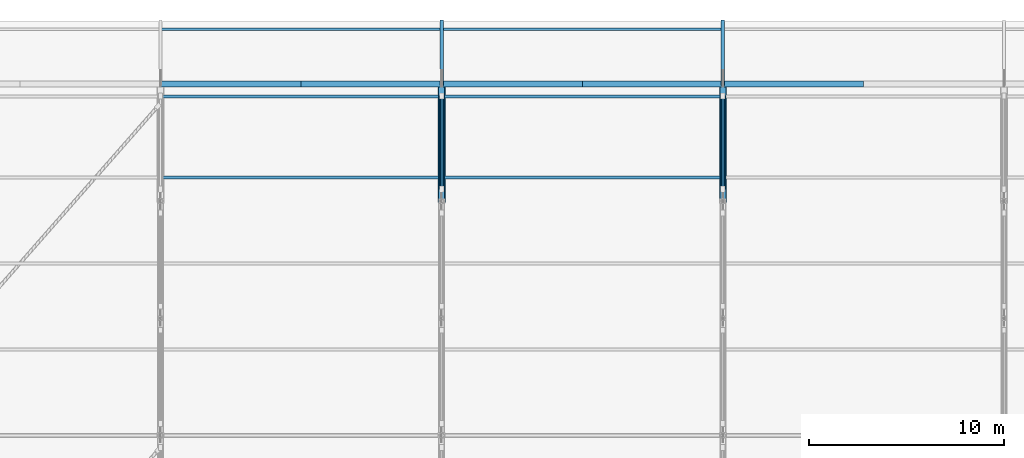
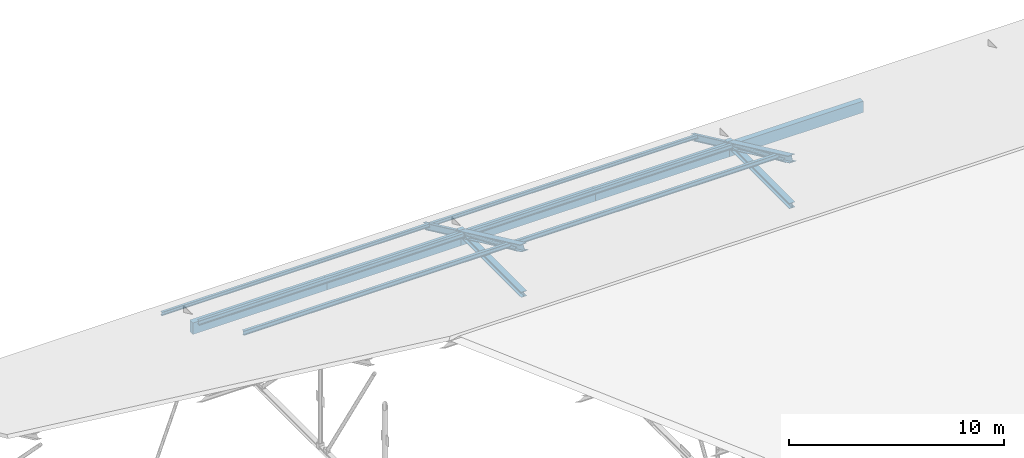
# One storey, part 82 of 141: 14 members, 5 beams, 2 elements without a shape of their own.
"""IFC4 building model written with IfcOpenShell, lengths in metres."""

from ifc_helpers import new_model, si_unit, direction, frame, origin, origin_2d, place, context, subcontext, project, spatial, rectangle, hollow_circle, i_section, extrude, material, material_profile, profile_set, type_object, element, aggregate, save


model = new_model("IFC4")

# Units and contexts
model_context = context("Model", 3, precision=1e-05, world=origin(), true_north=direction((0.0, 1.0)))
body_context = subcontext(model_context, "Body", "Model", "MODEL_VIEW")
ifc_project = project(units=[si_unit("LENGTHUNIT", "METRE"), si_unit("AREAUNIT", "SQUARE_METRE"), si_unit("VOLUMEUNIT", "CUBIC_METRE"), si_unit("PLANEANGLEUNIT", "RADIAN"), si_unit("MASSUNIT", "GRAM", prefix="KILO")], contexts=[model_context])

# Site, building, storey
site_placement = place(None, origin())
site = spatial("IfcSite", under=ifc_project, at=site_placement, CompositionType="ELEMENT")
building_placement = place(site_placement, origin())
building = spatial("IfcBuilding", under=site, at=building_placement, Name="Seraya Terrace Polytechnic", CompositionType="ELEMENT")
storey_placement = place(building_placement, frame((0.0, 0.0, 14.39990234375)))
storey = spatial("IfcBuildingStorey", under=building, at=storey_placement, Name="L03", CompositionType="ELEMENT", Elevation=14.39990234375)

# Assembly, member
ifc_material_1 = material(Name="Steel S355J2", Category="steel")
element_assembly_type = type_object("IfcElementAssemblyType", Name="TR-A1", PredefinedType="TRUSS", material=ifc_material_1)
assembly_1_placement = place(storey_placement, origin())
assembly_1 = element("IfcElementAssembly", 1, at=assembly_1_placement, inside=storey, type_object=element_assembly_type, Name="Pitched steel roof truss TR-03", AssemblyPlace="SITE", PredefinedType="TRUSS")
ifc_material_profile_1 = material_profile(ifc_material_1, i_section(OverallWidth=0.304931640625, OverallDepth=0.304931640625, WebThickness=0.014892578125, FlangeThickness=0.023681640625, at=origin_2d()), Name="UKC 305x305x14.9x23.8")
ifc_profile_set_1 = profile_set([ifc_material_profile_1], Name="Steel S355J2")
member_type_1 = type_object("IfcMemberType", Name="BC-01", PredefinedType="CHORD", material=ifc_profile_set_1)
member_1_placement = place(storey_placement, frame((43.199951171875, 109.199951171875, 0.150146484375), z_axis=(0.0, 1.0, 0.0), x_axis=(-1.0, 0.0, 0.0)))
member_1 = element("IfcMember", 2, at=member_1_placement, type_object=member_type_1, Name="TR-03 bottom chord 6", PredefinedType="CHORD", context=body_context, shape_type="SweptSolid", body=[
    extrude(i_section(OverallWidth=0.304931640625, OverallDepth=0.304931640625, WebThickness=0.014892578125, FlangeThickness=0.023681640625, at=origin_2d()), origin(), (0.0, 0.0, 1.0), 6.0),
])

assembly_2_placement = place(storey_placement, origin())
assembly_2 = element("IfcElementAssembly", 3, at=assembly_2_placement, inside=storey, type_object=element_assembly_type, Name="Pitched steel roof truss TR-04", AssemblyPlace="SITE", PredefinedType="TRUSS")
member_2_placement = place(storey_placement, frame((57.60009765625, 109.199951171875, 0.150146484375), z_axis=(0.0, 1.0, 0.0), x_axis=(-1.0, 0.0, 0.0)))
member_2 = element("IfcMember", 4, at=member_2_placement, type_object=member_type_1, Name="TR-04 bottom chord 6", PredefinedType="CHORD", context=body_context, shape_type="SweptSolid", body=[
    extrude(i_section(OverallWidth=0.304931640625, OverallDepth=0.304931640625, WebThickness=0.014892578125, FlangeThickness=0.023681640625, at=origin_2d()), origin(), (0.0, 0.0, 1.0), 6.0),
])

# Member
ifc_material_profile_2 = material_profile(ifc_material_1, hollow_circle(Radius=0.109619140625, WallThickness=0.010009765625, at=origin_2d()), Name="CHS 219.1x10.0")
ifc_profile_set_2 = profile_set([ifc_material_profile_2], Name="Steel S355J2")
member_type_2 = type_object("IfcMemberType", Name="BR-01", PredefinedType="BRACE", material=ifc_profile_set_2)
member_3_placement = place(storey_placement, frame((43.199951171875, 109.820068359375, 2.31884765625), z_axis=(0.0, 0.921775035169, -0.387725140453), x_axis=(-1.0, 0.0, 0.0)))
member_3 = element("IfcMember", 5, at=member_3_placement, type_object=member_type_2, Name="TR-03 web diagonal 6", PredefinedType="BRACE", context=body_context, shape_type="SweptSolid", body=[
    extrude(hollow_circle(Radius=0.109619140625, WallThickness=0.010009765625, at=origin_2d()), origin(), (0.0, 0.0, 1.0), 5.1640625),
])

member_4_placement = place(storey_placement, frame((57.60009765625, 109.820068359375, 2.31884765625), z_axis=(0.0, 0.921775035169, -0.387725140453), x_axis=(-1.0, 0.0, 0.0)))
member_4 = element("IfcMember", 6, at=member_4_placement, type_object=member_type_2, Name="TR-04 web diagonal 6", PredefinedType="BRACE", context=body_context, shape_type="SweptSolid", body=[
    extrude(hollow_circle(Radius=0.109619140625, WallThickness=0.010009765625, at=origin_2d()), origin(), (0.0, 0.0, 1.0), 5.1640625),
])

# Members
ifc_material_profile_3 = material_profile(ifc_material_1, i_section(OverallWidth=0.14599609375, OverallDepth=0.25390625, WebThickness=0.007080078125, FlangeThickness=0.01416015625, at=origin_2d()), Name="UKB 254x146x7.2x14.2")
ifc_profile_set_3 = profile_set([ifc_material_profile_3], Name="Steel S355J2")
member_type_3 = type_object("IfcMemberType", Name="PR-01", PredefinedType="PURLIN", material=ifc_profile_set_3)
for number, where, z_axis, x_axis, name in (
    (7, (28.800048828125, 110.39990234375, 2.270263671875), (1.0, 0.0, 0.0), (0.0, 1.0, 0.0), "Workshop roof purlin PR-01 bay 2.9"),
    (8, (28.800048828125, 114.550048828125, 0.33349609375), (1.0, 0.0, 0.0), (0.0, 1.0, 0.0), "Workshop roof purlin PR-01 bay 2.10"),
):
    element("IfcMember", number, at=place(storey_placement, frame(where, z_axis=z_axis, x_axis=x_axis)), inside=storey, type_object=member_type_3, Name=name, PredefinedType="PURLIN", context=body_context, shape_type="SweptSolid", body=[
        extrude(i_section(OverallWidth=0.14599609375, OverallDepth=0.25390625, WebThickness=0.007080078125, FlangeThickness=0.01416015625, at=origin_2d()), origin(), (0.0, 0.0, 1.0), 14.39990234375),
    ])
for number, where, z_axis, x_axis, name in (
    (9, (43.199951171875, 110.39990234375, 2.270263671875), (1.0, 0.0, 0.0), (0.0, 1.0, 0.0), "Workshop roof purlin PR-01 bay 3.9"),
    (10, (43.199951171875, 114.550048828125, 0.33349609375), (1.0, 0.0, 0.0), (0.0, 1.0, 0.0), "Workshop roof purlin PR-01 bay 3.10"),
):
    element("IfcMember", number, at=place(storey_placement, frame(where, z_axis=z_axis, x_axis=x_axis)), inside=storey, type_object=member_type_3, Name=name, PredefinedType="PURLIN", context=body_context, shape_type="SweptSolid", body=[
        extrude(i_section(OverallWidth=0.14599609375, OverallDepth=0.25390625, WebThickness=0.007080078125, FlangeThickness=0.01416015625, at=origin_2d()), origin(), (0.0, 0.0, 1.0), 14.400146484375),
    ])
ifc_material_profile_4 = material_profile(ifc_material_1, i_section(OverallWidth=0.133056640625, OverallDepth=0.202880859375, WebThickness=0.00634765625, FlangeThickness=0.01171875, at=origin_2d()), Name="UKB 203x133x6.4x11.8")
ifc_profile_set_4 = profile_set([ifc_material_profile_4], Name="Steel S355J2")
member_type_4 = type_object("IfcMemberType", Name="PR-02", PredefinedType="PURLIN", material=ifc_profile_set_4)
member_5_placement = place(storey_placement, frame((28.800048828125, 118.0, -1.247802734375), z_axis=(1.0, 0.0, 0.0), x_axis=(0.0, 1.0, 0.0)))
element("IfcMember", 11, at=member_5_placement, inside=storey, type_object=member_type_4, Name="Workshop roof purlin PR-02 bay 2.11", PredefinedType="PURLIN", context=body_context, shape_type="SweptSolid", body=[
    extrude(i_section(OverallWidth=0.133056640625, OverallDepth=0.202880859375, WebThickness=0.00634765625, FlangeThickness=0.01171875, at=origin_2d()), origin(), (0.0, 0.0, 1.0), 14.39990234375),
])
member_6_placement = place(storey_placement, frame((43.199951171875, 118.0, -1.247802734375), z_axis=(1.0, 0.0, 0.0), x_axis=(0.0, 1.0, 0.0)))
element("IfcMember", 12, at=member_6_placement, inside=storey, type_object=member_type_4, Name="Workshop roof purlin PR-02 bay 3.11", PredefinedType="PURLIN", context=body_context, shape_type="SweptSolid", body=[
    extrude(i_section(OverallWidth=0.133056640625, OverallDepth=0.202880859375, WebThickness=0.00634765625, FlangeThickness=0.01171875, at=origin_2d()), origin(), (0.0, 0.0, 1.0), 14.400146484375),
])

# Member
ifc_material_profile_5 = material_profile(ifc_material_1, i_section(OverallWidth=0.1708984375, OverallDepth=0.35595703125, WebThickness=0.009033203125, FlangeThickness=0.015625, at=origin_2d()), Name="UKB 356x171x9.1x15.7")
ifc_profile_set_5 = profile_set([ifc_material_profile_5], Name="Steel S355J2")
member_type_5 = type_object("IfcMemberType", Name="RF-01", PredefinedType="RAFTER", material=ifc_profile_set_5)
member_7_placement = place(storey_placement, frame((43.199951171875, 115.199951171875, -0.052001953125), z_axis=(0.0, 0.906199036176, -0.422851400416), x_axis=(-1.0, 0.0, 0.0)))
member_7 = element("IfcMember", 13, at=member_7_placement, type_object=member_type_5, Name="TR-03 North monsoon eave rafter", PredefinedType="RAFTER", context=body_context, shape_type="SweptSolid", body=[
    extrude(i_section(OverallWidth=0.1708984375, OverallDepth=0.35595703125, WebThickness=0.009033203125, FlangeThickness=0.015625, at=origin_2d()), origin(), (0.0, 0.0, 1.0), 3.53125),
])

member_8_placement = place(storey_placement, frame((57.60009765625, 115.199951171875, -0.052001953125), z_axis=(0.0, 0.906199036176, -0.422851400416), x_axis=(-1.0, 0.0, 0.0)))
member_8 = element("IfcMember", 14, at=member_8_placement, type_object=member_type_5, Name="TR-04 North monsoon eave rafter", PredefinedType="RAFTER", context=body_context, shape_type="SweptSolid", body=[
    extrude(i_section(OverallWidth=0.1708984375, OverallDepth=0.35595703125, WebThickness=0.009033203125, FlangeThickness=0.015625, at=origin_2d()), origin(), (0.0, 0.0, 1.0), 3.53125),
])

# Beams
ifc_material_2 = material(Name="Concrete C40/50", Category="concrete")
ifc_material_profile_6 = material_profile(ifc_material_2, rectangle(XDim=0.300048828125, YDim=0.64990234375, at=origin_2d()), Name="RC 300x650")
ifc_profile_set_6 = profile_set([ifc_material_profile_6], Name="Concrete C40/50")
beam_type = type_object("IfcBeamType", Name="SP-01", PredefinedType="SPANDREL", material=ifc_profile_set_6)
for number, where, z_axis, x_axis, name in (
    (15, (28.800048828125, 115.199951171875, -0.324951171875), (1.0, 0.0, 0.0), (0.0, 1.0, 0.0), "Beam SP-01 L03 X (28.8..36.0, 115.2)"),
    (16, (36.0, 115.199951171875, -0.324951171875), (1.0, 0.0, 0.0), (0.0, 1.0, 0.0), "Beam SP-01 L03 X (36.0..43.2, 115.2)"),
    (17, (43.199951171875, 115.199951171875, -0.324951171875), (1.0, 0.0, 0.0), (0.0, 1.0, 0.0), "Beam SP-01 L03 X (43.2..50.4, 115.2)"),
):
    element("IfcBeam", number, at=place(storey_placement, frame(where, z_axis=z_axis, x_axis=x_axis)), inside=storey, type_object=beam_type, Name=name, PredefinedType="SPANDREL", context=body_context, shape_type="SweptSolid", body=[
        extrude(rectangle(XDim=0.300048828125, YDim=0.64990234375, at=origin_2d()), origin(), (0.0, 0.0, 1.0), 7.199951171875),
    ])
beam_1_placement = place(storey_placement, frame((50.39990234375, 115.199951171875, -0.324951171875), z_axis=(1.0, 0.0, 0.0), x_axis=(0.0, 1.0, 0.0)))
element("IfcBeam", 18, at=beam_1_placement, inside=storey, type_object=beam_type, Name="Beam SP-01 L03 X (50.4..57.6, 115.2)", PredefinedType="SPANDREL", context=body_context, shape_type="SweptSolid", body=[
    extrude(rectangle(XDim=0.300048828125, YDim=0.64990234375, at=origin_2d()), origin(), (0.0, 0.0, 1.0), 7.2001953125),
])
beam_2_placement = place(storey_placement, frame((57.60009765625, 115.199951171875, -0.324951171875), z_axis=(1.0, 0.0, 0.0), x_axis=(0.0, 1.0, 0.0)))
element("IfcBeam", 19, at=beam_2_placement, inside=storey, type_object=beam_type, Name="Beam SP-01 L03 X (57.6..64.8, 115.2)", PredefinedType="SPANDREL", context=body_context, shape_type="SweptSolid", body=[
    extrude(rectangle(XDim=0.300048828125, YDim=0.64990234375, at=origin_2d()), origin(), (0.0, 0.0, 1.0), 7.199951171875),
])

# Member
ifc_material_profile_7 = material_profile(ifc_material_1, i_section(OverallWidth=0.367919921875, OverallDepth=0.35595703125, WebThickness=0.014892578125, FlangeThickness=0.0244140625, at=origin_2d()), Name="UKC 356x368x15.0x24.4")
ifc_profile_set_7 = profile_set([ifc_material_profile_7], Name="Steel S355J2")
member_type_6 = type_object("IfcMemberType", Name="TC-01", PredefinedType="CHORD", material=ifc_profile_set_7)
member_9_placement = place(storey_placement, frame((43.199951171875, 109.199951171875, 2.800048828125), z_axis=(0.0, 0.906180313975, -0.422891521036), x_axis=(-1.0, 0.0, 0.0)))
member_9 = element("IfcMember", 20, at=member_9_placement, type_object=member_type_6, Name="TR-03 top chord 6", PredefinedType="CHORD", context=body_context, shape_type="SweptSolid", body=[
    extrude(i_section(OverallWidth=0.367919921875, OverallDepth=0.35595703125, WebThickness=0.014892578125, FlangeThickness=0.0244140625, at=origin_2d()), origin(), (0.0, 0.0, 1.0), 6.62109375),
])

aggregate(assembly_1, [member_1, member_9, member_3, member_7])

member_10_placement = place(storey_placement, frame((57.60009765625, 109.199951171875, 2.800048828125), z_axis=(0.0, 0.906180313975, -0.422891521036), x_axis=(-1.0, 0.0, 0.0)))
member_10 = element("IfcMember", 21, at=member_10_placement, type_object=member_type_6, Name="TR-04 top chord 6", PredefinedType="CHORD", context=body_context, shape_type="SweptSolid", body=[
    extrude(i_section(OverallWidth=0.367919921875, OverallDepth=0.35595703125, WebThickness=0.014892578125, FlangeThickness=0.0244140625, at=origin_2d()), origin(), (0.0, 0.0, 1.0), 6.62109375),
])

aggregate(assembly_2, [member_2, member_10, member_4, member_8])

save(model, "model.ifc")
